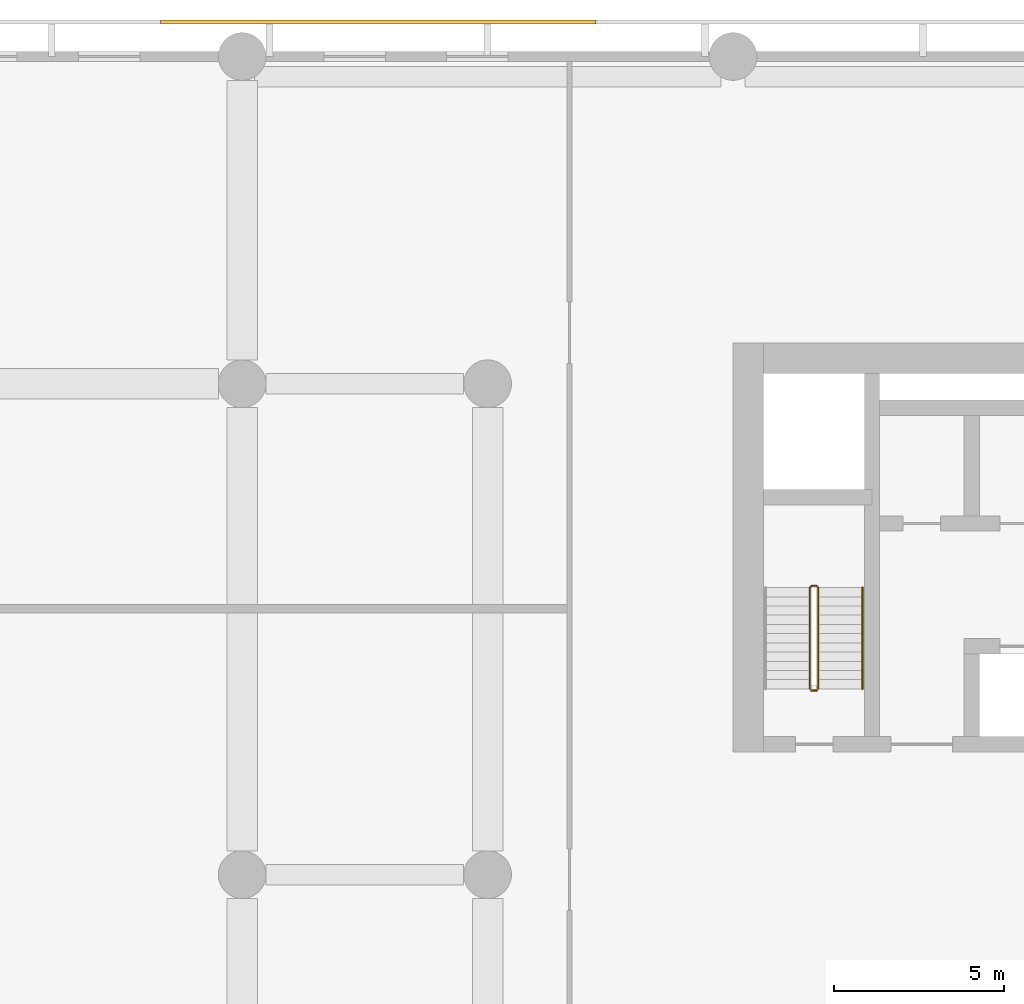
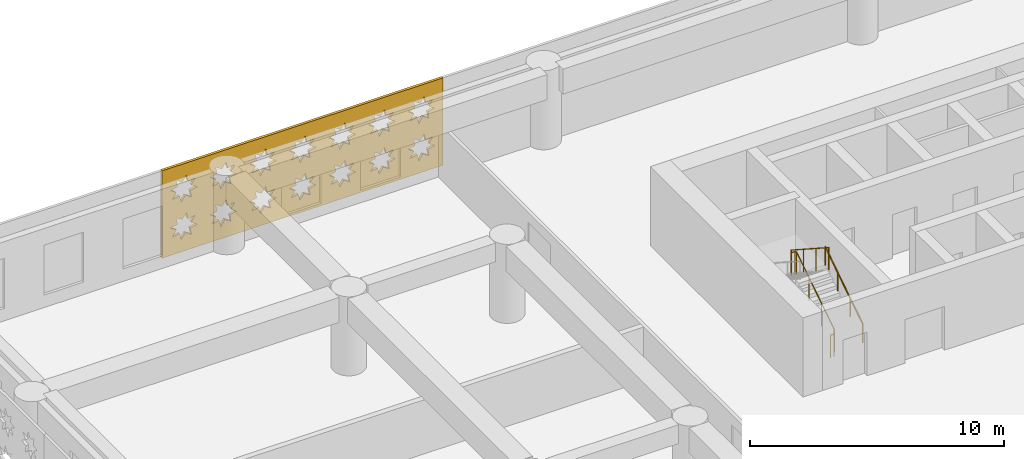
# One storey, part 19 of 23: 3 railings, 1 covering.
"""IFC4 building model written with IfcOpenShell, lengths in metres."""

from ifc_helpers import new_model, si_unit, direction, frame, origin, origin_2d, place, context, subcontext, project, spatial, polyline, circle, outline, extrude, material, layer, layer_set, type_object, element, save


model = new_model("IFC4")

# Units and contexts
model_context = context("Model", 3, precision=1e-05, world=origin(), true_north=direction((0.0, 1.0)))
body_context = subcontext(model_context, "Body", "Model", "MODEL_VIEW")
ifc_project = project(units=[si_unit("LENGTHUNIT", "METRE"), si_unit("AREAUNIT", "SQUARE_METRE"), si_unit("VOLUMEUNIT", "CUBIC_METRE"), si_unit("PLANEANGLEUNIT", "RADIAN"), si_unit("MASSUNIT", "GRAM", prefix="KILO")], contexts=[model_context])

# Site, building, storey
site_placement = place(None, origin())
site = spatial("IfcSite", under=ifc_project, at=site_placement, CompositionType="ELEMENT")
building_placement = place(site_placement, origin())
building = spatial("IfcBuilding", under=site, at=building_placement, Name="Saffron Iwan Residences", CompositionType="ELEMENT")
storey_placement = place(building_placement, frame((0.0, 0.0, 17.39990234375)))
storey = spatial("IfcBuildingStorey", under=building, at=storey_placement, Name="L03", CompositionType="ELEMENT", Elevation=17.39990234375)

# Covering
ifc_material_1 = material(Name="Terracotta screen, precast concrete C40/50", Category="masonry")
ifc_layer = layer(ifc_material_1, 0.1201171875)
ifc_layer_set = layer_set([ifc_layer], Name="Terracotta screen, precast concrete C40/50")
covering_type = type_object("IfcCoveringType", Name="PODIUM SCREEN GIRIH", PredefinedType="CLADDING", material=ifc_layer_set)
covering_placement = place(storey_placement, frame((24.784912109375, 87.35009765625, -0.39990234375), z_axis=(0.0, 1.0, 0.0), x_axis=(-1.0, 0.0, 0.0)))
element("IfcCovering", 1, at=covering_placement, inside=storey, type_object=covering_type, Name="SCREEN girih terracotta L03 F2.6", PredefinedType="CLADDING", context=body_context, shape_type="SweptSolid", body=[
    extrude(outline(polyline([(0.0, 0.0), (12.777587890625, 0.0), (12.777587890625, 4.199951171875), (0.0, 4.199951171875), (0.0, 0.0)]), holes=[polyline([(1.5966796875, 1.321044921875), (1.271484375, 1.388916015625), (1.333251953125, 1.715576171875), (1.05517578125, 1.533447265625), (0.867919921875, 1.80810546875), (0.7998046875, 1.482666015625), (0.47314453125, 1.54443359375), (0.6552734375, 1.266357421875), (0.380615234375, 1.0791015625), (0.7060546875, 1.010986328125), (0.644287109375, 0.6845703125), (0.92236328125, 0.866455078125), (1.109619140625, 0.591796875), (1.177490234375, 0.917236328125), (1.50439453125, 0.85546875), (1.322265625, 1.1337890625), (1.5966796875, 1.321044921875)]), polyline([(1.5966796875, 3.12109375), (1.271484375, 3.18896484375), (1.333251953125, 3.515380859375), (1.05517578125, 3.33349609375), (0.867919921875, 3.608154296875), (0.7998046875, 3.28271484375), (0.47314453125, 3.344482421875), (0.6552734375, 3.06640625), (0.380615234375, 2.87890625), (0.7060546875, 2.81103515625), (0.644287109375, 2.484619140625), (0.92236328125, 2.66650390625), (1.109619140625, 2.391845703125), (1.177490234375, 2.71728515625), (1.50439453125, 2.655517578125), (1.322265625, 2.93359375), (1.5966796875, 3.12109375)]), polyline([(3.396728515625, 1.321044921875), (3.0712890625, 1.388916015625), (3.13330078125, 1.715576171875), (2.85498046875, 1.533447265625), (2.667724609375, 1.80810546875), (2.599853515625, 1.482666015625), (2.273193359375, 1.54443359375), (2.455322265625, 1.266357421875), (2.1806640625, 1.0791015625), (2.506103515625, 1.010986328125), (2.4443359375, 0.6845703125), (2.722412109375, 0.866455078125), (2.90966796875, 0.591796875), (2.9775390625, 0.917236328125), (3.30419921875, 0.85546875), (3.122314453125, 1.1337890625), (3.396728515625, 1.321044921875)]), polyline([(3.396728515625, 3.12109375), (3.0712890625, 3.18896484375), (3.13330078125, 3.515380859375), (2.85498046875, 3.33349609375), (2.667724609375, 3.608154296875), (2.599853515625, 3.28271484375), (2.273193359375, 3.344482421875), (2.455322265625, 3.06640625), (2.1806640625, 2.87890625), (2.506103515625, 2.81103515625), (2.4443359375, 2.484619140625), (2.722412109375, 2.66650390625), (2.90966796875, 2.391845703125), (2.9775390625, 2.71728515625), (3.30419921875, 2.655517578125), (3.122314453125, 2.93359375), (3.396728515625, 3.12109375)]), polyline([(5.19677734375, 1.321044921875), (4.871337890625, 1.388916015625), (4.93310546875, 1.715576171875), (4.655029296875, 1.533447265625), (4.4677734375, 1.80810546875), (4.39990234375, 1.482666015625), (4.0732421875, 1.54443359375), (4.25537109375, 1.266357421875), (3.980712890625, 1.0791015625), (4.30615234375, 1.010986328125), (4.244384765625, 0.6845703125), (4.5224609375, 0.866455078125), (4.709716796875, 0.591796875), (4.777587890625, 0.917236328125), (5.104248046875, 0.85546875), (4.922119140625, 1.1337890625), (5.19677734375, 1.321044921875)]), polyline([(5.19677734375, 3.12109375), (4.871337890625, 3.18896484375), (4.93310546875, 3.515380859375), (4.655029296875, 3.33349609375), (4.4677734375, 3.608154296875), (4.39990234375, 3.28271484375), (4.0732421875, 3.344482421875), (4.25537109375, 3.06640625), (3.980712890625, 2.87890625), (4.30615234375, 2.81103515625), (4.244384765625, 2.484619140625), (4.5224609375, 2.66650390625), (4.709716796875, 2.391845703125), (4.777587890625, 2.71728515625), (5.104248046875, 2.655517578125), (4.922119140625, 2.93359375), (5.19677734375, 3.12109375)]), polyline([(6.996826171875, 1.321044921875), (6.67138671875, 1.388916015625), (6.733154296875, 1.715576171875), (6.455078125, 1.533447265625), (6.267822265625, 1.80810546875), (6.199951171875, 1.482666015625), (5.873291015625, 1.54443359375), (6.055419921875, 1.266357421875), (5.78076171875, 1.0791015625), (6.106201171875, 1.010986328125), (6.044189453125, 0.6845703125), (6.322509765625, 0.866455078125), (6.509765625, 0.591796875), (6.57763671875, 0.917236328125), (6.904296875, 0.85546875), (6.72216796875, 1.1337890625), (6.996826171875, 1.321044921875)]), polyline([(6.996826171875, 3.12109375), (6.67138671875, 3.18896484375), (6.733154296875, 3.515380859375), (6.455078125, 3.33349609375), (6.267822265625, 3.608154296875), (6.199951171875, 3.28271484375), (5.873291015625, 3.344482421875), (6.055419921875, 3.06640625), (5.78076171875, 2.87890625), (6.106201171875, 2.81103515625), (6.044189453125, 2.484619140625), (6.322509765625, 2.66650390625), (6.509765625, 2.391845703125), (6.57763671875, 2.71728515625), (6.904296875, 2.655517578125), (6.72216796875, 2.93359375), (6.996826171875, 3.12109375)]), polyline([(8.796875, 1.321044921875), (8.471435546875, 1.388916015625), (8.533203125, 1.715576171875), (8.255126953125, 1.533447265625), (8.06787109375, 1.80810546875), (8.0, 1.482666015625), (7.673095703125, 1.54443359375), (7.855224609375, 1.266357421875), (7.580810546875, 1.0791015625), (7.906005859375, 1.010986328125), (7.84423828125, 0.6845703125), (8.122314453125, 0.866455078125), (8.309814453125, 0.591796875), (8.377685546875, 0.917236328125), (8.704345703125, 0.85546875), (8.522216796875, 1.1337890625), (8.796875, 1.321044921875)]), polyline([(8.796875, 3.12109375), (8.471435546875, 3.18896484375), (8.533203125, 3.515380859375), (8.255126953125, 3.33349609375), (8.06787109375, 3.608154296875), (8.0, 3.28271484375), (7.673095703125, 3.344482421875), (7.855224609375, 3.06640625), (7.580810546875, 2.87890625), (7.906005859375, 2.81103515625), (7.84423828125, 2.484619140625), (8.122314453125, 2.66650390625), (8.309814453125, 2.391845703125), (8.377685546875, 2.71728515625), (8.704345703125, 2.655517578125), (8.522216796875, 2.93359375), (8.796875, 3.12109375)]), polyline([(10.5966796875, 1.321044921875), (10.271484375, 1.388916015625), (10.333251953125, 1.715576171875), (10.05517578125, 1.533447265625), (9.867919921875, 1.80810546875), (9.7998046875, 1.482666015625), (9.47314453125, 1.54443359375), (9.6552734375, 1.266357421875), (9.380615234375, 1.0791015625), (9.7060546875, 1.010986328125), (9.644287109375, 0.6845703125), (9.92236328125, 0.866455078125), (10.109619140625, 0.591796875), (10.177490234375, 0.917236328125), (10.50439453125, 0.85546875), (10.322265625, 1.1337890625), (10.5966796875, 1.321044921875)]), polyline([(10.5966796875, 3.12109375), (10.271484375, 3.18896484375), (10.333251953125, 3.515380859375), (10.05517578125, 3.33349609375), (9.867919921875, 3.608154296875), (9.7998046875, 3.28271484375), (9.47314453125, 3.344482421875), (9.6552734375, 3.06640625), (9.380615234375, 2.87890625), (9.7060546875, 2.81103515625), (9.644287109375, 2.484619140625), (9.92236328125, 2.66650390625), (10.109619140625, 2.391845703125), (10.177490234375, 2.71728515625), (10.50439453125, 2.655517578125), (10.322265625, 2.93359375), (10.5966796875, 3.12109375)]), polyline([(12.396728515625, 1.321044921875), (12.0712890625, 1.388916015625), (12.13330078125, 1.715576171875), (11.85498046875, 1.533447265625), (11.667724609375, 1.80810546875), (11.599853515625, 1.482666015625), (11.273193359375, 1.54443359375), (11.455322265625, 1.266357421875), (11.1806640625, 1.0791015625), (11.506103515625, 1.010986328125), (11.4443359375, 0.6845703125), (11.722412109375, 0.866455078125), (11.90966796875, 0.591796875), (11.9775390625, 0.917236328125), (12.30419921875, 0.85546875), (12.122314453125, 1.1337890625), (12.396728515625, 1.321044921875)]), polyline([(12.396728515625, 3.12109375), (12.0712890625, 3.18896484375), (12.13330078125, 3.515380859375), (11.85498046875, 3.33349609375), (11.667724609375, 3.608154296875), (11.599853515625, 3.28271484375), (11.273193359375, 3.344482421875), (11.455322265625, 3.06640625), (11.1806640625, 2.87890625), (11.506103515625, 2.81103515625), (11.4443359375, 2.484619140625), (11.722412109375, 2.66650390625), (11.90966796875, 2.391845703125), (11.9775390625, 2.71728515625), (12.30419921875, 2.655517578125), (12.122314453125, 2.93359375), (12.396728515625, 3.12109375)])]), origin(), (0.0, 0.0, 1.0), 0.119873046875),
])

# Railings
ifc_material_2 = material(Name="Steel S355", Category="steel")
railing_type_1 = type_object("IfcRailingType", Name="Stair guard 1100", PredefinedType="GUARDRAIL", material=ifc_material_2)
railing_1_placement = place(storey_placement, frame((31.300048828125, 67.85009765625, 0.175048828125)))
element("IfcRailing", 2, at=railing_1_placement, inside=storey, type_object=railing_type_1, Name="L03 ST-W stair guard 1", PredefinedType="GUARDRAIL", context=body_context, shape_type="SweptSolid", body=[
    extrude(circle(Radius=0.02392578125, at=origin_2d()), frame((0.0, 0.0, 1.076171875), z_axis=(0.0, 0.83914424107, 0.543908947048), x_axis=(-1.0, 0.0, 0.0)), (0.0, 0.0, 1.0), 3.539306640625),
    extrude(circle(Radius=0.02392578125, at=origin_2d()), frame((0.0, 2.969970703125, 3.0009765625), z_axis=(-0.707106781187, 0.707106781187, 0.0), x_axis=(-0.707106781187, -0.707106781187, 0.0)), (0.0, 0.0, 1.0), 0.07080078125),
    extrude(circle(Radius=0.02392578125, at=origin_2d()), frame((-0.050048828125, 3.02001953125, 3.0009765625), z_axis=(-1.0, 0.0, 0.0), x_axis=(0.0, -1.0, 0.0)), (0.0, 0.0, 1.0), 0.14990234375),
    extrude(circle(Radius=0.02392578125, at=origin_2d()), frame((-0.199951171875, 3.02001953125, 3.0009765625), z_axis=(-0.265065253269, -0.265065253269, 0.927081885822), x_axis=(0.707106781187, -0.707106781187, 0.0)), (0.0, 0.0, 1.0), 0.188720703125),
    extrude(circle(Radius=0.02392578125, at=origin_2d()), frame((-0.25, 2.969970703125, 3.17626953125), z_axis=(0.0, -0.83914424107, 0.543908947048), x_axis=(1.0, 0.0, 0.0)), (0.0, 0.0, 1.0), 3.539306640625),
    extrude(circle(Radius=0.02099609375, at=origin_2d()), origin(), (0.0, 0.0, 1.0), 1.052001953125),
    extrude(circle(Radius=0.02099609375, at=origin_2d()), frame((0.0, 0.989990234375, 0.6416015625)), (0.0, 0.0, 1.0), 1.052001953125),
    extrude(circle(Radius=0.02099609375, at=origin_2d()), frame((0.0, 1.97998046875, 1.283447265625)), (0.0, 0.0, 1.0), 1.052001953125),
    extrude(circle(Radius=0.02099609375, at=origin_2d()), frame((0.0, 2.969970703125, 1.925048828125)), (0.0, 0.0, 1.0), 1.052001953125),
    extrude(circle(Radius=0.02099609375, at=origin_2d()), frame((-0.050048828125, 3.02001953125, 1.925048828125)), (0.0, 0.0, 1.0), 1.052001953125),
    extrude(circle(Radius=0.02099609375, at=origin_2d()), frame((-0.199951171875, 3.02001953125, 1.925048828125)), (0.0, 0.0, 1.0), 1.052001953125),
    extrude(circle(Radius=0.02099609375, at=origin_2d()), frame((-0.25, 2.969970703125, 2.10009765625)), (0.0, 0.0, 1.0), 1.052001953125),
    extrude(circle(Radius=0.02099609375, at=origin_2d()), frame((-0.25, 1.97998046875, 2.74169921875)), (0.0, 0.0, 1.0), 1.052001953125),
    extrude(circle(Radius=0.02099609375, at=origin_2d()), frame((-0.25, 0.989990234375, 3.383544921875)), (0.0, 0.0, 1.0), 1.052001953125),
    extrude(circle(Radius=0.02099609375, at=origin_2d()), frame((-0.25, 0.0, 4.025146484375)), (0.0, 0.0, 1.0), 1.052001953125),
])
railing_2_placement = place(storey_placement, frame((31.25, 67.800048828125, 0.0)))
element("IfcRailing", 3, at=railing_2_placement, inside=storey, type_object=railing_type_1, Name="L03 ST-W stair guard 2", PredefinedType="GUARDRAIL", context=body_context, shape_type="SweptSolid", body=[
    extrude(circle(Radius=0.02392578125, at=origin_2d()), frame((0.0, 0.0, 1.076171875), z_axis=(-1.0, 0.0, 0.0), x_axis=(0.0, -1.0, 0.0)), (0.0, 0.0, 1.0), 0.14990234375),
    extrude(circle(Radius=0.02099609375, at=origin_2d()), origin(), (0.0, 0.0, 1.0), 1.052001953125),
    extrude(circle(Radius=0.02099609375, at=origin_2d()), frame((-0.14990234375, 0.0, 0.0)), (0.0, 0.0, 1.0), 1.052001953125),
])
ifc_material_3 = material(Name="Stainless steel 316", Category="steel")
railing_type_2 = type_object("IfcRailingType", Name="Stair handrail 900", PredefinedType="HANDRAIL", material=ifc_material_3)
railing_3_placement = place(storey_placement, frame((32.60009765625, 67.85009765625, 0.175048828125)))
element("IfcRailing", 4, at=railing_3_placement, inside=storey, type_object=railing_type_2, Name="L03 ST-W stair handrail 1", PredefinedType="HANDRAIL", context=body_context, shape_type="SweptSolid", body=[
    extrude(circle(Radius=0.02392578125, at=origin_2d()), frame((0.0, 0.0, 0.8759765625), z_axis=(0.0, 0.83914424107, 0.543908947048), x_axis=(-1.0, 0.0, 0.0)), (0.0, 0.0, 1.0), 3.539306640625),
    extrude(circle(Radius=0.02099609375, at=origin_2d()), origin(), (0.0, 0.0, 1.0), 0.851806640625),
    extrude(circle(Radius=0.02099609375, at=origin_2d()), frame((0.0, 0.989990234375, 0.6416015625)), (0.0, 0.0, 1.0), 0.851806640625),
    extrude(circle(Radius=0.02099609375, at=origin_2d()), frame((0.0, 1.97998046875, 1.283447265625)), (0.0, 0.0, 1.0), 0.851806640625),
    extrude(circle(Radius=0.02099609375, at=origin_2d()), frame((0.0, 2.969970703125, 1.925048828125)), (0.0, 0.0, 1.0), 0.851806640625),
])

save(model, "model.ifc")
